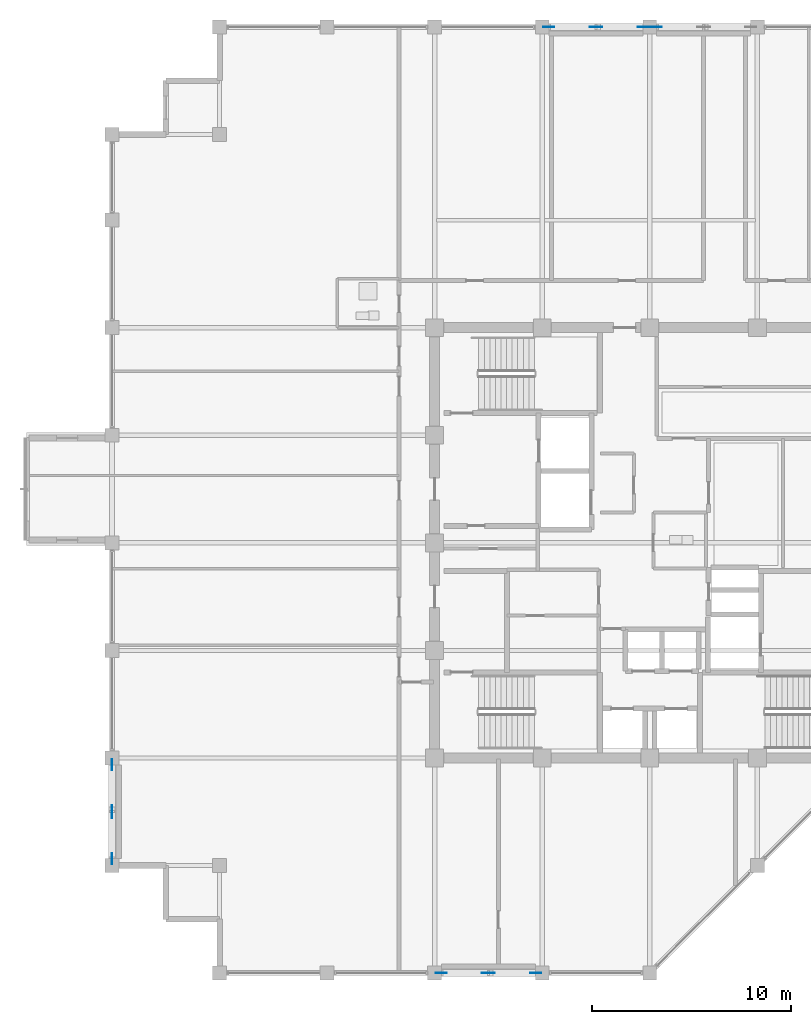
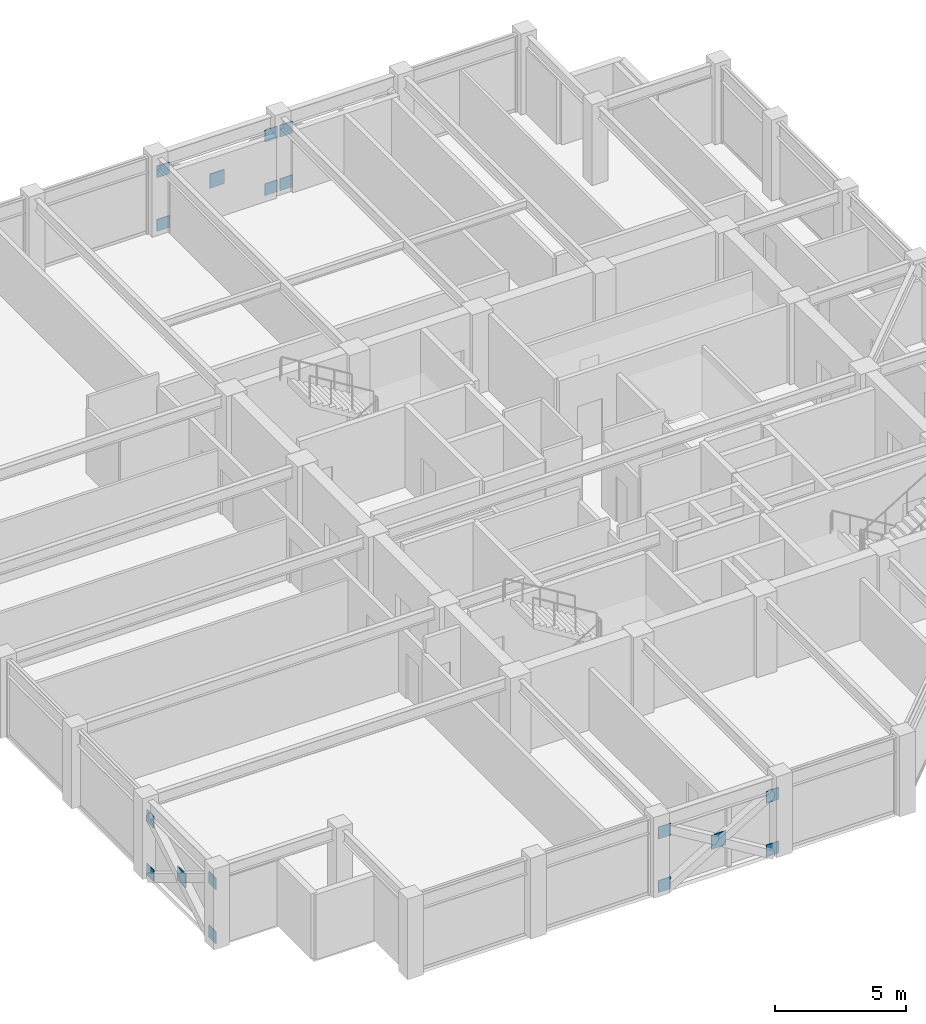
# One storey, part 23 of 31: 17 plates.
"""IFC4 building model written with IfcOpenShell, lengths in metres."""

from ifc_helpers import new_model, si_unit, direction, frame, origin, origin_2d, place, context, subcontext, project, spatial, rectangle, extrude, material, layer, layer_set, type_object, element, save


model = new_model("IFC4")

# Units and contexts
model_context = context("Model", 3, precision=1e-05, world=origin(), true_north=direction((0.0, 1.0)))
body_context = subcontext(model_context, "Body", "Model", "MODEL_VIEW")
ifc_project = project(units=[si_unit("LENGTHUNIT", "METRE"), si_unit("AREAUNIT", "SQUARE_METRE"), si_unit("VOLUMEUNIT", "CUBIC_METRE"), si_unit("PLANEANGLEUNIT", "RADIAN"), si_unit("MASSUNIT", "GRAM", prefix="KILO")], contexts=[model_context])

# Site, building, storey
site_placement = place(None, origin())
site = spatial("IfcSite", under=ifc_project, at=site_placement, CompositionType="ELEMENT")
building_placement = place(site_placement, origin())
building = spatial("IfcBuilding", under=site, at=building_placement, Name="Surkhivell Harbour Commons", CompositionType="ELEMENT")
storey_placement = place(building_placement, frame((0.0, 0.0, 322.5)))
storey = spatial("IfcBuildingStorey", under=building, at=storey_placement, Name="L84", CompositionType="ELEMENT", Elevation=322.5)

# Plates
ifc_material = material(Name="Steel S460", Category="steel")
ifc_layer_1 = layer(ifc_material, 0.035888671875)
ifc_layer_set_1 = layer_set([ifc_layer_1], Name="Steel S460")
plate_type_1 = type_object("IfcPlateType", Name="PLT-GUS-550", PredefinedType="USERDEFINED", material=ifc_layer_set_1)
for number, where, z_axis, x_axis, name in (
    (1, (-5.06494140625, 25.89990234375, -0.07470703125), (0.0, 0.0, 1.0), (1.0, 0.0, 0.0), "L84 Perimeter Mega-Brace MB- Corner Gusset N-1"),
    (2, (-0.3349609375, 25.89990234375, -0.07470703125), (0.0, 0.0, 1.0), (1.0, 0.0, 0.0), "L84 Perimeter Mega-Brace MB- Corner Gusset N-2"),
    (3, (-5.06494140625, 25.89990234375, 2.41357421875), (0.0, 0.0, 1.0), (1.0, 0.0, 0.0), "L84 Perimeter Mega-Brace MB- Corner Gusset N-3"),
    (4, (-0.3349609375, 25.89990234375, 2.41357421875), (0.0, 0.0, 1.0), (1.0, 0.0, 0.0), "L84 Perimeter Mega-Brace MB- Corner Gusset N-4"),
    (5, (0.3349609375, 25.89990234375, -0.07470703125), (0.0, 0.0, 1.0), (1.0, 0.0, 0.0), "L84 Perimeter Mega-Brace MB- Corner Gusset N2-1"),
    (6, (0.3349609375, 25.89990234375, 2.41357421875), (0.0, 0.0, 1.0), (1.0, 0.0, 0.0), "L84 Perimeter Mega-Brace MB- Corner Gusset N2-3"),
    (7, (-10.465087890625, -21.60009765625, -0.07470703125), (0.0, 0.0, 1.0), (1.0, 0.0, 0.0), "L84 Perimeter Mega-Brace MB- Corner Gusset S-1"),
    (8, (-5.735107421875, -21.60009765625, -0.07470703125), (0.0, 0.0, 1.0), (1.0, 0.0, 0.0), "L84 Perimeter Mega-Brace MB- Corner Gusset S-2"),
    (9, (-10.465087890625, -21.60009765625, 2.41357421875), (0.0, 0.0, 1.0), (1.0, 0.0, 0.0), "L84 Perimeter Mega-Brace MB- Corner Gusset S-3"),
    (10, (-5.735107421875, -21.60009765625, 2.41357421875), (0.0, 0.0, 1.0), (1.0, 0.0, 0.0), "L84 Perimeter Mega-Brace MB- Corner Gusset S-4"),
    (11, (-27.0, -15.864990234375, -0.07470703125), (0.0, 0.0, 1.0), (0.0, 1.0, 0.0), "L84 Perimeter Mega-Brace MB- Corner Gusset W-1"),
    (12, (-27.0, -11.135009765625, -0.07470703125), (0.0, 0.0, 1.0), (0.0, 1.0, 0.0), "L84 Perimeter Mega-Brace MB- Corner Gusset W-2"),
    (13, (-27.0, -15.864990234375, 2.41357421875), (0.0, 0.0, 1.0), (0.0, 1.0, 0.0), "L84 Perimeter Mega-Brace MB- Corner Gusset W-3"),
    (14, (-27.0, -11.135009765625, 2.41357421875), (0.0, 0.0, 1.0), (0.0, 1.0, 0.0), "L84 Perimeter Mega-Brace MB- Corner Gusset W-4"),
):
    element("IfcPlate", number, at=place(storey_placement, frame(where, z_axis=z_axis, x_axis=x_axis)), inside=storey, type_object=plate_type_1, Name=name, ObjectType="GUSSET_PLATE", PredefinedType="USERDEFINED", context=body_context, shape_type="SweptSolid", body=[
        extrude(rectangle(XDim=0.550048828125, YDim=0.035888671875, at=origin_2d()), origin(), (0.0, 0.0, 1.0), 0.550048828125),
    ])
ifc_layer_2 = layer(ifc_material, 0.044921875)
ifc_layer_set_2 = layer_set([ifc_layer_2], Name="Steel S460")
plate_type_2 = type_object("IfcPlateType", Name="PLT-GUS-650", PredefinedType="USERDEFINED", material=ifc_layer_set_2)
for number, where, z_axis, x_axis, name in (
    (15, (-2.699951171875, 25.89990234375, 1.11962890625), (0.0, 0.0, 1.0), (1.0, 0.0, 0.0), "L84 Perimeter Mega-Brace MB- Central Crossing Gusset N"),
    (16, (-8.10009765625, -21.60009765625, 1.11962890625), (0.0, 0.0, 1.0), (1.0, 0.0, 0.0), "L84 Perimeter Mega-Brace MB- Central Crossing Gusset S"),
    (17, (-27.0, -13.5, 1.11962890625), (0.0, 0.0, 1.0), (0.0, 1.0, 0.0), "L84 Perimeter Mega-Brace MB- Central Crossing Gusset W"),
):
    element("IfcPlate", number, at=place(storey_placement, frame(where, z_axis=z_axis, x_axis=x_axis)), inside=storey, type_object=plate_type_2, Name=name, ObjectType="GUSSET_PLATE", PredefinedType="USERDEFINED", context=body_context, shape_type="SweptSolid", body=[
        extrude(rectangle(XDim=0.64990234375, YDim=0.044921875, at=origin_2d()), origin(), (0.0, 0.0, 1.0), 0.64990234375),
    ])

save(model, "model.ifc")
